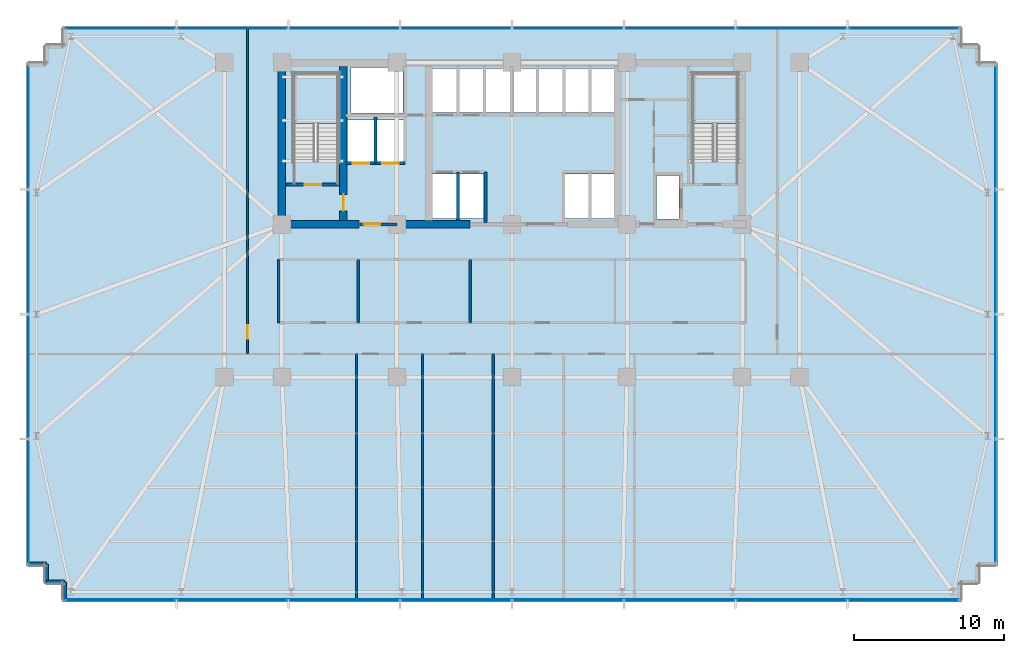
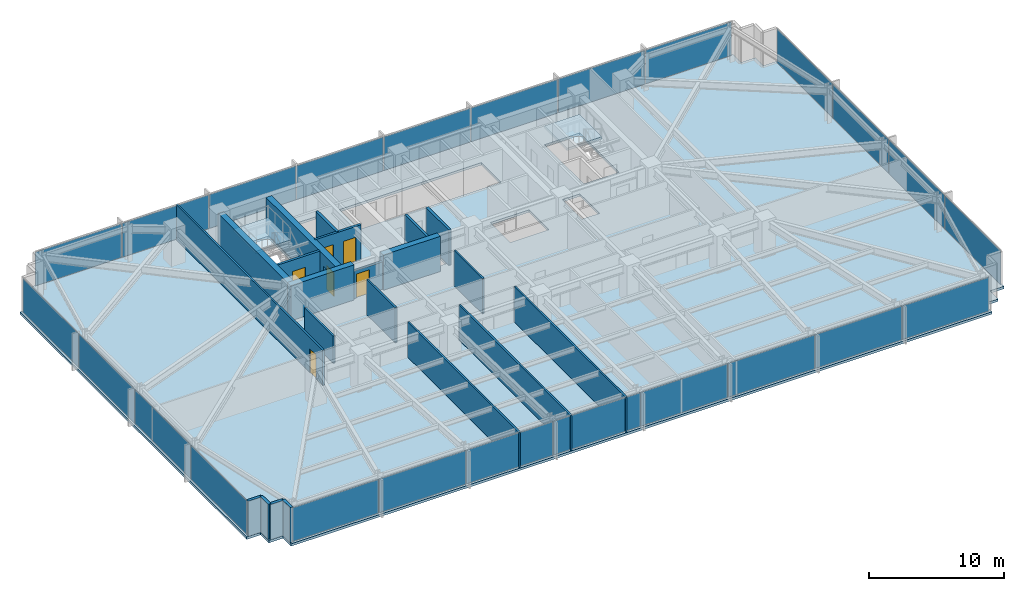
# One storey, part 24 of 32: 24 plates, 21 walls, 6 doors, 3 slabs, 6 openings, 6 elements without a shape of their own.
"""IFC4 building model written with IfcOpenShell, lengths in metres."""

from ifc_helpers import new_model, si_unit, direction, frame, frame_2d, origin, origin_2d, place, context, subcontext, project, spatial, polyline, rectangle, outline, extrude, material, layer, layer_set, type_object, element, fill, aggregate, save


model = new_model("IFC4")

# Units and contexts
model_context = context("Model", 3, precision=1e-05, world=origin(), true_north=direction((0.0, 1.0)))
body_context = subcontext(model_context, "Body", "Model", "MODEL_VIEW")
ifc_project = project(units=[si_unit("LENGTHUNIT", "METRE"), si_unit("AREAUNIT", "SQUARE_METRE"), si_unit("VOLUMEUNIT", "CUBIC_METRE"), si_unit("PLANEANGLEUNIT", "RADIAN"), si_unit("MASSUNIT", "GRAM", prefix="KILO")], contexts=[model_context])

# Site, building, storey
site_placement = place(None, origin())
site = spatial("IfcSite", under=ifc_project, at=site_placement, CompositionType="ELEMENT")
building_placement = place(site_placement, origin())
building = spatial("IfcBuilding", under=site, at=building_placement, Name="Yelkora Congress Tower", CompositionType="ELEMENT")
storey_placement = place(building_placement, frame((0.0, 0.0, 61.0)))
storey = spatial("IfcBuildingStorey", under=building, at=storey_placement, Name="L15", CompositionType="ELEMENT", Elevation=61.0)

# Curtain wall, plates
ifc_material_1 = material(Name="Anodised aluminium and insulated glass", Category="aluminium")
curtain_wall_type = type_object("IfcCurtainWallType", Name="CW-SYS-B1", PredefinedType="NOTDEFINED", material=ifc_material_1)
curtain_wall_1_placement = place(storey_placement, origin())
curtain_wall_1 = element("IfcCurtainWall", 1, at=curtain_wall_1_placement, inside=storey, type_object=curtain_wall_type, Name="L15 Unitised Curtain Wall 5", PredefinedType="NOTDEFINED")
ifc_material_2 = material(Name="Solar-control low-E glass unit B1", Category="glass")
ifc_layer_1 = layer(ifc_material_2, 0.0400390625)
ifc_layer_set_1 = layer_set([ifc_layer_1], Name="Solar-control low-E glass unit B1")
plate_type = type_object("IfcPlateType", Name="PLT-PN-B1", PredefinedType="CURTAIN_PANEL", material=ifc_layer_set_1)
plate_1_placement = place(storey_placement, frame((6.139892578125, 16.923828125, 0.06494140625), z_axis=(0.0, 0.0, 1.0), x_axis=(0.0, 1.0, 0.0)))
plate_1 = element("IfcPlate", 2, at=plate_1_placement, type_object=plate_type, Name="CW-B1 panel 1.1", PredefinedType="CURTAIN_PANEL", context=body_context, shape_type="SweptSolid", body=[
    extrude(rectangle(XDim=8.217529296875, YDim=0.0400390625, at=origin_2d()), origin(), (0.0, 0.0, 1.0), 3.050048828125),
])
plate_2_placement = place(storey_placement, frame((6.139892578125, 25.235107421875, 0.06494140625), z_axis=(0.0, 0.0, 1.0), x_axis=(0.0, 1.0, 0.0)))
plate_2 = element("IfcPlate", 3, at=plate_2_placement, type_object=plate_type, Name="CW-B1 panel 2.1", PredefinedType="CURTAIN_PANEL", context=body_context, shape_type="SweptSolid", body=[
    extrude(rectangle(XDim=8.2548828125, YDim=0.0400390625, at=origin_2d()), origin(), (0.0, 0.0, 1.0), 3.050048828125),
])
plate_3_placement = place(storey_placement, frame((6.139892578125, 33.56494140625, 0.06494140625), z_axis=(0.0, 0.0, 1.0), x_axis=(0.0, 1.0, 0.0)))
plate_3 = element("IfcPlate", 4, at=plate_3_placement, type_object=plate_type, Name="CW-B1 panel 3.1", PredefinedType="CURTAIN_PANEL", context=body_context, shape_type="SweptSolid", body=[
    extrude(rectangle(XDim=8.2548828125, YDim=0.0400390625, at=origin_2d()), origin(), (0.0, 0.0, 1.0), 3.050048828125),
])
plate_4_placement = place(storey_placement, frame((6.139892578125, 41.876220703125, 0.06494140625), z_axis=(0.0, 0.0, 1.0), x_axis=(0.0, 1.0, 0.0)))
plate_4 = element("IfcPlate", 5, at=plate_4_placement, type_object=plate_type, Name="CW-B1 panel 4.1", PredefinedType="CURTAIN_PANEL", context=body_context, shape_type="SweptSolid", body=[
    extrude(rectangle(XDim=8.217529296875, YDim=0.0400390625, at=origin_2d()), origin(), (0.0, 0.0, 1.0), 3.050048828125),
])
aggregate(curtain_wall_1, [plate_1, plate_2, plate_3, plate_4])

curtain_wall_2_placement = place(storey_placement, origin())
curtain_wall_2 = element("IfcCurtainWall", 6, at=curtain_wall_2_placement, inside=storey, type_object=curtain_wall_type, Name="L15 Unitised Curtain Wall 10", PredefinedType="NOTDEFINED")
plate_5_placement = place(storey_placement, frame((12.291259765625, 48.4599609375, 0.06494140625), z_axis=(0.0, 0.0, 1.0), x_axis=(1.0, 0.0, 0.0)))
plate_5 = element("IfcPlate", 7, at=plate_5_placement, type_object=plate_type, Name="CW-B1 panel 1.1", PredefinedType="CURTAIN_PANEL", context=body_context, shape_type="SweptSolid", body=[
    extrude(rectangle(XDim=7.3525390625, YDim=0.0400390625, at=origin_2d()), origin(), (0.0, 0.0, 1.0), 3.050048828125),
])
plate_6_placement = place(storey_placement, frame((19.737548828125, 48.4599609375, 0.06494140625), z_axis=(0.0, 0.0, 1.0), x_axis=(1.0, 0.0, 0.0)))
plate_6 = element("IfcPlate", 8, at=plate_6_placement, type_object=plate_type, Name="CW-B1 panel 2.1", PredefinedType="CURTAIN_PANEL", context=body_context, shape_type="SweptSolid", body=[
    extrude(rectangle(XDim=7.389892578125, YDim=0.0400390625, at=origin_2d()), origin(), (0.0, 0.0, 1.0), 3.050048828125),
])
plate_7_placement = place(storey_placement, frame((27.202392578125, 48.4599609375, 0.06494140625), z_axis=(0.0, 0.0, 1.0), x_axis=(1.0, 0.0, 0.0)))
plate_7 = element("IfcPlate", 9, at=plate_7_placement, type_object=plate_type, Name="CW-B1 panel 3.1", PredefinedType="CURTAIN_PANEL", context=body_context, shape_type="SweptSolid", body=[
    extrude(rectangle(XDim=7.389892578125, YDim=0.0400390625, at=origin_2d()), origin(), (0.0, 0.0, 1.0), 3.050048828125),
])
plate_8_placement = place(storey_placement, frame((34.66748046875, 48.4599609375, 0.06494140625), z_axis=(0.0, 0.0, 1.0), x_axis=(1.0, 0.0, 0.0)))
plate_8 = element("IfcPlate", 10, at=plate_8_placement, type_object=plate_type, Name="CW-B1 panel 4.1", PredefinedType="CURTAIN_PANEL", context=body_context, shape_type="SweptSolid", body=[
    extrude(rectangle(XDim=7.389892578125, YDim=0.0400390625, at=origin_2d()), origin(), (0.0, 0.0, 1.0), 3.050048828125),
])
plate_9_placement = place(storey_placement, frame((42.132568359375, 48.4599609375, 0.06494140625), z_axis=(0.0, 0.0, 1.0), x_axis=(1.0, 0.0, 0.0)))
plate_9 = element("IfcPlate", 11, at=plate_9_placement, type_object=plate_type, Name="CW-B1 panel 5.1", PredefinedType="CURTAIN_PANEL", context=body_context, shape_type="SweptSolid", body=[
    extrude(rectangle(XDim=7.389892578125, YDim=0.0400390625, at=origin_2d()), origin(), (0.0, 0.0, 1.0), 3.050048828125),
])
plate_10_placement = place(storey_placement, frame((49.597412109375, 48.4599609375, 0.06494140625), z_axis=(0.0, 0.0, 1.0), x_axis=(1.0, 0.0, 0.0)))
plate_10 = element("IfcPlate", 12, at=plate_10_placement, type_object=plate_type, Name="CW-B1 panel 6.1", PredefinedType="CURTAIN_PANEL", context=body_context, shape_type="SweptSolid", body=[
    extrude(rectangle(XDim=7.389892578125, YDim=0.0400390625, at=origin_2d()), origin(), (0.0, 0.0, 1.0), 3.050048828125),
])
plate_11_placement = place(storey_placement, frame((57.0625, 48.4599609375, 0.06494140625), z_axis=(0.0, 0.0, 1.0), x_axis=(1.0, 0.0, 0.0)))
plate_11 = element("IfcPlate", 13, at=plate_11_placement, type_object=plate_type, Name="CW-B1 panel 7.1", PredefinedType="CURTAIN_PANEL", context=body_context, shape_type="SweptSolid", body=[
    extrude(rectangle(XDim=7.389892578125, YDim=0.0400390625, at=origin_2d()), origin(), (0.0, 0.0, 1.0), 3.050048828125),
])
plate_12_placement = place(storey_placement, frame((64.5087890625, 48.4599609375, 0.06494140625), z_axis=(0.0, 0.0, 1.0), x_axis=(1.0, 0.0, 0.0)))
plate_12 = element("IfcPlate", 14, at=plate_12_placement, type_object=plate_type, Name="CW-B1 panel 8.1", PredefinedType="CURTAIN_PANEL", context=body_context, shape_type="SweptSolid", body=[
    extrude(rectangle(XDim=7.3525390625, YDim=0.0400390625, at=origin_2d()), origin(), (0.0, 0.0, 1.0), 3.050048828125),
])
aggregate(curtain_wall_2, [plate_5, plate_6, plate_7, plate_8, plate_9, plate_10, plate_11, plate_12])

curtain_wall_3_placement = place(storey_placement, origin())
curtain_wall_3 = element("IfcCurtainWall", 15, at=curtain_wall_3_placement, inside=storey, type_object=curtain_wall_type, Name="L15 Unitised Curtain Wall 15", PredefinedType="NOTDEFINED")
plate_13_placement = place(storey_placement, frame((70.659912109375, 41.876220703125, 0.06494140625), z_axis=(0.0, 0.0, 1.0), x_axis=(0.0, -1.0, 0.0)))
plate_13 = element("IfcPlate", 16, at=plate_13_placement, type_object=plate_type, Name="CW-B1 panel 1.1", PredefinedType="CURTAIN_PANEL", context=body_context, shape_type="SweptSolid", body=[
    extrude(rectangle(XDim=8.217529296875, YDim=0.0400390625, at=origin_2d()), origin(), (0.0, 0.0, 1.0), 3.050048828125),
])
plate_14_placement = place(storey_placement, frame((70.659912109375, 33.56494140625, 0.06494140625), z_axis=(0.0, 0.0, 1.0), x_axis=(0.0, -1.0, 0.0)))
plate_14 = element("IfcPlate", 17, at=plate_14_placement, type_object=plate_type, Name="CW-B1 panel 2.1", PredefinedType="CURTAIN_PANEL", context=body_context, shape_type="SweptSolid", body=[
    extrude(rectangle(XDim=8.2548828125, YDim=0.0400390625, at=origin_2d()), origin(), (0.0, 0.0, 1.0), 3.050048828125),
])
plate_15_placement = place(storey_placement, frame((70.659912109375, 25.235107421875, 0.06494140625), z_axis=(0.0, 0.0, 1.0), x_axis=(0.0, -1.0, 0.0)))
plate_15 = element("IfcPlate", 18, at=plate_15_placement, type_object=plate_type, Name="CW-B1 panel 3.1", PredefinedType="CURTAIN_PANEL", context=body_context, shape_type="SweptSolid", body=[
    extrude(rectangle(XDim=8.2548828125, YDim=0.0400390625, at=origin_2d()), origin(), (0.0, 0.0, 1.0), 3.050048828125),
])
plate_16_placement = place(storey_placement, frame((70.659912109375, 16.923828125, 0.06494140625), z_axis=(0.0, 0.0, 1.0), x_axis=(0.0, -1.0, 0.0)))
plate_16 = element("IfcPlate", 19, at=plate_16_placement, type_object=plate_type, Name="CW-B1 panel 4.1", PredefinedType="CURTAIN_PANEL", context=body_context, shape_type="SweptSolid", body=[
    extrude(rectangle(XDim=8.217529296875, YDim=0.0400390625, at=origin_2d()), origin(), (0.0, 0.0, 1.0), 3.050048828125),
])
aggregate(curtain_wall_3, [plate_13, plate_14, plate_15, plate_16])

curtain_wall_4_placement = place(storey_placement, origin())
curtain_wall_4 = element("IfcCurtainWall", 20, at=curtain_wall_4_placement, inside=storey, type_object=curtain_wall_type, Name="L15 Unitised Curtain Wall 20", PredefinedType="NOTDEFINED")
plate_17_placement = place(storey_placement, frame((64.5087890625, 10.340087890625, 0.06494140625), z_axis=(0.0, 0.0, 1.0), x_axis=(-1.0, 0.0, 0.0)))
plate_17 = element("IfcPlate", 21, at=plate_17_placement, type_object=plate_type, Name="CW-B1 panel 1.1", PredefinedType="CURTAIN_PANEL", context=body_context, shape_type="SweptSolid", body=[
    extrude(rectangle(XDim=7.3525390625, YDim=0.0400390625, at=origin_2d()), origin(), (0.0, 0.0, 1.0), 3.050048828125),
])
plate_18_placement = place(storey_placement, frame((57.0625, 10.340087890625, 0.06494140625), z_axis=(0.0, 0.0, 1.0), x_axis=(-1.0, 0.0, 0.0)))
plate_18 = element("IfcPlate", 22, at=plate_18_placement, type_object=plate_type, Name="CW-B1 panel 2.1", PredefinedType="CURTAIN_PANEL", context=body_context, shape_type="SweptSolid", body=[
    extrude(rectangle(XDim=7.389892578125, YDim=0.0400390625, at=origin_2d()), origin(), (0.0, 0.0, 1.0), 3.050048828125),
])
plate_19_placement = place(storey_placement, frame((49.597412109375, 10.340087890625, 0.06494140625), z_axis=(0.0, 0.0, 1.0), x_axis=(-1.0, 0.0, 0.0)))
plate_19 = element("IfcPlate", 23, at=plate_19_placement, type_object=plate_type, Name="CW-B1 panel 3.1", PredefinedType="CURTAIN_PANEL", context=body_context, shape_type="SweptSolid", body=[
    extrude(rectangle(XDim=7.389892578125, YDim=0.0400390625, at=origin_2d()), origin(), (0.0, 0.0, 1.0), 3.050048828125),
])
plate_20_placement = place(storey_placement, frame((42.132568359375, 10.340087890625, 0.06494140625), z_axis=(0.0, 0.0, 1.0), x_axis=(-1.0, 0.0, 0.0)))
plate_20 = element("IfcPlate", 24, at=plate_20_placement, type_object=plate_type, Name="CW-B1 panel 4.1", PredefinedType="CURTAIN_PANEL", context=body_context, shape_type="SweptSolid", body=[
    extrude(rectangle(XDim=7.389892578125, YDim=0.0400390625, at=origin_2d()), origin(), (0.0, 0.0, 1.0), 3.050048828125),
])
plate_21_placement = place(storey_placement, frame((34.66748046875, 10.340087890625, 0.06494140625), z_axis=(0.0, 0.0, 1.0), x_axis=(-1.0, 0.0, 0.0)))
plate_21 = element("IfcPlate", 25, at=plate_21_placement, type_object=plate_type, Name="CW-B1 panel 5.1", PredefinedType="CURTAIN_PANEL", context=body_context, shape_type="SweptSolid", body=[
    extrude(rectangle(XDim=7.389892578125, YDim=0.0400390625, at=origin_2d()), origin(), (0.0, 0.0, 1.0), 3.050048828125),
])
plate_22_placement = place(storey_placement, frame((27.202392578125, 10.340087890625, 0.06494140625), z_axis=(0.0, 0.0, 1.0), x_axis=(-1.0, 0.0, 0.0)))
plate_22 = element("IfcPlate", 26, at=plate_22_placement, type_object=plate_type, Name="CW-B1 panel 6.1", PredefinedType="CURTAIN_PANEL", context=body_context, shape_type="SweptSolid", body=[
    extrude(rectangle(XDim=7.389892578125, YDim=0.0400390625, at=origin_2d()), origin(), (0.0, 0.0, 1.0), 3.050048828125),
])
plate_23_placement = place(storey_placement, frame((19.737548828125, 10.340087890625, 0.06494140625), z_axis=(0.0, 0.0, 1.0), x_axis=(-1.0, 0.0, 0.0)))
plate_23 = element("IfcPlate", 27, at=plate_23_placement, type_object=plate_type, Name="CW-B1 panel 7.1", PredefinedType="CURTAIN_PANEL", context=body_context, shape_type="SweptSolid", body=[
    extrude(rectangle(XDim=7.389892578125, YDim=0.0400390625, at=origin_2d()), origin(), (0.0, 0.0, 1.0), 3.050048828125),
])
plate_24_placement = place(storey_placement, frame((12.291259765625, 10.340087890625, 0.06494140625), z_axis=(0.0, 0.0, 1.0), x_axis=(-1.0, 0.0, 0.0)))
plate_24 = element("IfcPlate", 28, at=plate_24_placement, type_object=plate_type, Name="CW-B1 panel 8.1", PredefinedType="CURTAIN_PANEL", context=body_context, shape_type="SweptSolid", body=[
    extrude(rectangle(XDim=7.3525390625, YDim=0.0400390625, at=origin_2d()), origin(), (0.0, 0.0, 1.0), 3.050048828125),
])
aggregate(curtain_wall_4, [plate_17, plate_18, plate_19, plate_20, plate_21, plate_22, plate_23, plate_24])

# Stair, slab
ifc_material_3 = material(Name="Concrete C40/50", Category="concrete")
stair_type = type_object("IfcStairType", Name="STAIR-HT-1420-R20-170", PredefinedType="HALF_TURN_STAIR", material=ifc_material_3)
stair_1_placement = place(storey_placement, origin())
stair_1 = element("IfcStair", 29, at=stair_1_placement, inside=storey, type_object=stair_type, Name="West Core Protected Exit Stair ST-01 (L15)", PredefinedType="HALF_TURN_STAIR")
ifc_layer_2 = layer(ifc_material_3, 0.219970703125)
ifc_layer_set_2 = layer_set([ifc_layer_2], Name="Concrete C40/50")
slab_type_1 = type_object("IfcSlabType", Name="SLAB-LANDING-220", PredefinedType="LANDING", material=ifc_layer_set_2)
slab_1_placement = place(storey_placement, frame((0.0, 0.0, 1.47998046875)))
slab_1 = element("IfcSlab", 30, at=slab_1_placement, type_object=slab_type_1, Name="ST-01 L15 Half Landing 1", PredefinedType="LANDING", context=body_context, shape_type="SweptSolid", body=[
    extrude(outline(polyline([(26.820068359375, 42.1201171875), (26.820068359375, 45.469970703125), (23.820068359375, 45.469970703125), (23.820068359375, 42.1201171875), (26.820068359375, 42.1201171875)])), origin(), (0.0, 0.0, 1.0), 0.219970703125),
])
aggregate(stair_1, [slab_1])

stair_2_placement = place(storey_placement, origin())
stair_2 = element("IfcStair", 31, at=stair_2_placement, inside=storey, type_object=stair_type, Name="East Core Protected Exit Stair ST-02 (L15)", PredefinedType="HALF_TURN_STAIR")
slab_2_placement = place(storey_placement, frame((0.0, 0.0, 1.47998046875)))
slab_2 = element("IfcSlab", 32, at=slab_2_placement, type_object=slab_type_1, Name="ST-02 L15 Half Landing 1", PredefinedType="LANDING", context=body_context, shape_type="SweptSolid", body=[
    extrude(outline(polyline([(53.4599609375, 42.1201171875), (53.4599609375, 45.469970703125), (50.4599609375, 45.469970703125), (50.4599609375, 42.1201171875), (53.4599609375, 42.1201171875)])), origin(), (0.0, 0.0, 1.0), 0.219970703125),
])
aggregate(stair_2, [slab_2])

# Slab
ifc_layer_3 = layer(ifc_material_3, 0.219970703125)
ifc_layer_set_3 = layer_set([ifc_layer_3], Name="Concrete C40/50")
slab_type_2 = type_object("IfcSlabType", Name="SLAB-TWR-220", PredefinedType="FLOOR", material=ifc_layer_set_3)
slab_3_placement = place(storey_placement, frame((0.0, 0.0, -0.219970703125)))
element("IfcSlab", 33, at=slab_3_placement, inside=storey, type_object=slab_type_2, Name="L15 Structural Floor Slab", PredefinedType="FLOOR", context=body_context, shape_type="SweptSolid", body=[
    extrude(outline(polyline([(8.39990234375, 10.199951171875), (68.39990234375, 10.199951171875), (68.39990234375, 11.39990234375), (69.60009765625, 11.39990234375), (69.60009765625, 12.60009765625), (70.800048828125, 12.60009765625), (70.800048828125, 46.199951171875), (69.60009765625, 46.199951171875), (69.60009765625, 47.39990234375), (68.39990234375, 47.39990234375), (68.39990234375, 48.60009765625), (8.39990234375, 48.60009765625), (8.39990234375, 47.39990234375), (7.199951171875, 47.39990234375), (7.199951171875, 46.199951171875), (6.0, 46.199951171875), (6.0, 12.60009765625), (7.199951171875, 12.60009765625), (7.199951171875, 11.39990234375), (8.39990234375, 11.39990234375), (8.39990234375, 10.199951171875)]), holes=[polyline([(23.820068359375, 39.6298828125), (26.820068359375, 39.6298828125), (26.820068359375, 45.469970703125), (23.820068359375, 45.469970703125), (23.820068359375, 39.6298828125)]), polyline([(50.4599609375, 39.6298828125), (53.4599609375, 39.6298828125), (53.4599609375, 45.469970703125), (50.4599609375, 45.469970703125), (50.4599609375, 39.6298828125)]), polyline([(48.050048828125, 35.75), (49.550048828125, 35.75), (49.550048828125, 38.64990234375), (48.050048828125, 38.64990234375), (48.050048828125, 35.75)]), polyline([(41.949951171875, 35.800048828125), (45.25, 35.800048828125), (45.25, 38.75), (41.949951171875, 38.75), (41.949951171875, 35.800048828125)]), polyline([(33.10009765625, 42.85009765625), (45.25, 42.85009765625), (45.25, 45.800048828125), (33.10009765625, 45.800048828125), (33.10009765625, 42.85009765625)]), polyline([(33.10009765625, 35.800048828125), (36.5, 35.800048828125), (36.5, 38.75), (33.10009765625, 38.75), (33.10009765625, 35.800048828125)]), polyline([(27.419921875, 39.60009765625), (31.179931640625, 39.60009765625), (31.179931640625, 42.35009765625), (27.419921875, 42.35009765625), (27.419921875, 39.60009765625)]), polyline([(27.64990234375, 42.820068359375), (31.1201171875, 42.820068359375), (31.1201171875, 45.8798828125), (27.64990234375, 45.8798828125), (27.64990234375, 42.820068359375)])]), origin(), (0.0, 0.0, 1.0), 0.219970703125),
])

# Walls
ifc_material_4 = material(Name="Concrete C60/75", Category="concrete")
ifc_layer_4 = layer(ifc_material_4, 0.5)
ifc_layer_set_4 = layer_set([ifc_layer_4], Name="Concrete C60/75")
wall_type_1 = type_object("IfcWallType", Name="WALL-CORE-INT-500", PredefinedType="SHEAR", material=ifc_layer_set_4)
wall_1_placement = place(storey_placement, frame((22.7900390625, 35.39990234375, 0.0), z_axis=(0.0, 0.0, 1.0), x_axis=(1.0, 0.0, 0.0)))
element("IfcWall", 34, at=wall_1_placement, inside=storey, type_object=wall_type_1, Name="L15 Rear Core South-West Shear Wall", PredefinedType="SHEAR", context=body_context, shape_type="SweptSolid", body=[
    extrude(rectangle(XDim=5.409912109375, YDim=0.5, at=frame_2d((2.705078125, 0.0))), origin(), (0.0, 0.0, 1.0), 3.179931640625),
])
wall_2_placement = place(storey_placement, frame((30.719970703125, 35.39990234375, 0.0), z_axis=(0.0, 0.0, 1.0), x_axis=(1.0, 0.0, 0.0)))
element("IfcWall", 35, at=wall_2_placement, inside=storey, type_object=wall_type_1, Name="L15 Rear Core South-Center Shear Pier", PredefinedType="SHEAR", context=body_context, shape_type="SweptSolid", body=[
    extrude(rectangle(XDim=4.880126953125, YDim=0.5, at=frame_2d((2.43994140625, 0.0))), origin(), (0.0, 0.0, 1.0), 3.179931640625),
])
wall_3_placement = place(storey_placement, frame((23.0400390625, 35.64990234375, 0.0), z_axis=(0.0, 0.0, 1.0), x_axis=(0.0, 1.0, 0.0)))
element("IfcWall", 36, at=wall_3_placement, inside=storey, type_object=wall_type_1, Name="L15 Rear Core Cross Shear Wall W", PredefinedType="SHEAR", context=body_context, shape_type="SweptSolid", body=[
    extrude(rectangle(XDim=10.300048828125, YDim=0.5, at=frame_2d((5.14990234375, 0.0))), origin(), (0.0, 0.0, 1.0), 3.179931640625),
])

# Wall, opening, door
wall_4_placement = place(storey_placement, frame((27.14990234375, 35.64990234375, 0.0), z_axis=(0.0, 0.0, 1.0), x_axis=(0.0, 1.0, 0.0)))
wall_4 = element("IfcWall", 37, at=wall_4_placement, inside=storey, type_object=wall_type_1, Name="L15 Rear Core Cross Shear Wall C1", PredefinedType="SHEAR", context=body_context, shape_type="SweptSolid", body=[
    extrude(rectangle(XDim=10.300048828125, YDim=0.5, at=frame_2d((5.14990234375, 0.0))), origin(), (0.0, 0.0, 1.0), 3.179931640625),
])
opening_1_placement = place(wall_4_placement, frame((0.64990234375, 0.0, 0.0)))
opening_1 = element("IfcOpeningElement", 38, at=opening_1_placement, cuts=wall_4, Name="Opening DR-110F9", PredefinedType="OPENING", context=body_context, shape_type="SweptSolid", body=[
    extrude(rectangle(XDim=1.10009765625, YDim=2.14990234375, at=frame_2d((0.550048828125, 1.074951171875))), frame((0.0, 0.260009765625, 0.0), z_axis=(0.0, -1.0, 0.0), x_axis=(1.0, 0.0, 0.0)), (0.0, 0.0, 1.0), 0.52001953125),
])
ifc_material_5 = material(Name="Galvanised steel fire door leaf", Category="steel")
door_type_1 = type_object("IfcDoorType", Name="DOOR-FD90-1100", OperationType="NOTDEFINED", PredefinedType="DOOR", material=ifc_material_5)
door_1_placement = place(opening_1_placement, origin())
door_1 = element("IfcDoor", 39, at=door_1_placement, inside=storey, type_object=door_type_1, Name="L15 Firefighting Stair Transfer Door", OperationType="SINGLE_SWING_LEFT", OverallHeight=2.14990234375, OverallWidth=1.10009765625, PredefinedType="DOOR", context=body_context, shape_type="SweptSolid", body=[
    extrude(rectangle(XDim=1.10009765625, YDim=2.14990234375, at=frame_2d((0.550048828125, 1.074951171875))), frame((0.0, 0.02490234375, 0.0), z_axis=(0.0, -1.0, 0.0), x_axis=(1.0, 0.0, 0.0)), (0.0, 0.0, 1.0), 0.050048828125),
])
fill(opening_1, door_1)

# Walls
ifc_layer_5 = layer(ifc_material_3, 0.239990234375)
ifc_layer_set_5 = layer_set([ifc_layer_5], Name="Concrete C40/50")
wall_type_2 = type_object("IfcWallType", Name="WALL-EXT-LIMESTONE-240", PredefinedType="SOLIDWALL", material=ifc_layer_set_5)
for number, where, z_axis, x_axis, name in (
    (40, (8.5400390625, 10.340087890625, 0.0), (0.0, 0.0, 1.0), (0.0, 1.0, 0.0), "L15 Serrated Corner Limestone Pier 1"),
    (41, (8.5400390625, 11.5400390625, 0.0), (0.0, 0.0, 1.0), (-1.0, 0.0, 0.0), "L15 Serrated Corner Limestone Pier 2"),
    (42, (7.340087890625, 11.5400390625, 0.0), (0.0, 0.0, 1.0), (0.0, 1.0, 0.0), "L15 Serrated Corner Limestone Pier 3"),
):
    element("IfcWall", number, at=place(storey_placement, frame(where, z_axis=z_axis, x_axis=x_axis)), inside=storey, type_object=wall_type_2, Name=name, PredefinedType="SOLIDWALL", context=body_context, shape_type="SweptSolid", body=[
        extrude(rectangle(XDim=1.199951171875, YDim=0.239990234375, at=frame_2d((0.60009765625, 0.0))), origin(), (0.0, 0.0, 1.0), 3.179931640625),
    ])
wall_5_placement = place(storey_placement, frame((7.340087890625, 12.739990234375, 0.0), z_axis=(0.0, 0.0, 1.0), x_axis=(-1.0, 0.0, 0.0)))
element("IfcWall", 43, at=wall_5_placement, inside=storey, type_object=wall_type_2, Name="L15 Serrated Corner Limestone Pier 4", PredefinedType="SOLIDWALL", context=body_context, shape_type="SweptSolid", body=[
    extrude(rectangle(XDim=1.2001953125, YDim=0.239990234375, at=frame_2d((0.60009765625, 0.0))), origin(), (0.0, 0.0, 1.0), 3.179931640625),
])
ifc_material_6 = material(Name="Acoustic metal-stud gypsum partition", Category="gypsum")
ifc_layer_6 = layer(ifc_material_6, 0.14990234375)
ifc_layer_set_6 = layer_set([ifc_layer_6], Name="Acoustic metal-stud gypsum partition")
wall_type_3 = type_object("IfcWallType", Name="WALL-INT-150-NR", PredefinedType="PARTITIONING", material=ifc_layer_set_6)
for number, where, z_axis, x_axis, name in (
    (44, (28.02392578125, 10.280029296875, 0.0), (0.0, 0.0, 1.0), (0.0, 1.0, 0.0), "L15 Partition Wall 31"),
    (45, (32.427001953125, 10.280029296875, 0.0), (0.0, 0.0, 1.0), (0.0, 1.0, 0.0), "L15 Partition Wall 32"),
    (46, (37.14501953125, 10.280029296875, 0.0), (0.0, 0.0, 1.0), (0.0, 1.0, 0.0), "L15 Partition Wall 33"),
):
    element("IfcWall", number, at=place(storey_placement, frame(where, z_axis=z_axis, x_axis=x_axis)), inside=storey, type_object=wall_type_3, Name=name, PredefinedType="PARTITIONING", context=body_context, shape_type="SweptSolid", body=[
        extrude(rectangle(XDim=16.489990234375, YDim=0.14990234375, at=frame_2d((8.2451171875, 0.0))), origin(), (0.0, 0.0, 1.0), 3.179931640625),
    ])

# Wall, opening, door
wall_6_placement = place(storey_placement, frame((20.75, 26.75, 0.0), z_axis=(0.0, 0.0, 1.0), x_axis=(0.0, 1.0, 0.0)))
wall_6 = element("IfcWall", 47, at=wall_6_placement, inside=storey, type_object=wall_type_3, Name="L15 Partition Wall 37", PredefinedType="PARTITIONING", context=body_context, shape_type="SweptSolid", body=[
    extrude(rectangle(XDim=21.77001953125, YDim=0.14990234375, at=frame_2d((10.885009765625, 0.0))), origin(), (0.0, 0.0, 1.0), 3.179931640625),
])
opening_2_placement = place(wall_6_placement, frame((1.030029296875, 0.0, 0.0)))
opening_2 = element("IfcOpeningElement", 48, at=opening_2_placement, cuts=wall_6, Name="Opening DR-090N", PredefinedType="OPENING", context=body_context, shape_type="SweptSolid", body=[
    extrude(rectangle(XDim=0.89990234375, YDim=2.14990234375, at=frame_2d((0.449951171875, 1.074951171875))), frame((0.0, 0.0849609375, 0.0), z_axis=(0.0, -1.0, 0.0), x_axis=(1.0, 0.0, 0.0)), (0.0, 0.0, 1.0), 0.169921875),
])
ifc_material_7 = material(Name="Moisture-resistant laminate door leaf", Category="wood")
door_type_2 = type_object("IfcDoorType", Name="DOOR-INT-900", OperationType="NOTDEFINED", PredefinedType="DOOR", material=ifc_material_7)
door_2_placement = place(opening_2_placement, origin())
door_2 = element("IfcDoor", 49, at=door_2_placement, inside=storey, type_object=door_type_2, Name="L15 W Wing Door", OperationType="SINGLE_SWING_LEFT", OverallHeight=2.14990234375, OverallWidth=0.89990234375, PredefinedType="DOOR", context=body_context, shape_type="SweptSolid", body=[
    extrude(rectangle(XDim=0.89990234375, YDim=2.14990234375, at=frame_2d((0.449951171875, 1.074951171875))), frame((0.0, 0.02490234375, 0.0), z_axis=(0.0, -1.0, 0.0), x_axis=(1.0, 0.0, 0.0)), (0.0, 0.0, 1.0), 0.050048828125),
])
fill(opening_2, door_2)

# Walls
wall_7_placement = place(storey_placement, frame((22.830078125, 28.830078125, 0.0), z_axis=(0.0, 0.0, 1.0), x_axis=(0.0, 1.0, 0.0)))
element("IfcWall", 50, at=wall_7_placement, inside=storey, type_object=wall_type_3, Name="L15 Partition Wall 39", PredefinedType="PARTITIONING", context=body_context, shape_type="SweptSolid", body=[
    extrude(rectangle(XDim=4.219970703125, YDim=0.14990234375, at=frame_2d((2.10986328125, 0.0))), origin(), (0.0, 0.0, 1.0), 2.47509765625),
])
for number, where, z_axis, x_axis, name in (
    (51, (28.138916015625, 28.830078125, 0.0), (0.0, 0.0, 1.0), (0.0, 1.0, 0.0), "L15 Partition Wall 42"),
    (52, (35.6201171875, 28.830078125, 0.0), (0.0, 0.0, 1.0), (0.0, 1.0, 0.0), "L15 Partition Wall 43"),
):
    element("IfcWall", number, at=place(storey_placement, frame(where, z_axis=z_axis, x_axis=x_axis)), inside=storey, type_object=wall_type_3, Name=name, PredefinedType="PARTITIONING", context=body_context, shape_type="SweptSolid", body=[
        extrude(rectangle(XDim=4.219970703125, YDim=0.14990234375, at=frame_2d((2.10986328125, 0.0))), origin(), (0.0, 0.0, 1.0), 3.179931640625),
    ])

# Wall, opening, door
ifc_material_8 = material(Name="Autoclaved aerated concrete blockwork", Category="masonry")
ifc_layer_7 = layer(ifc_material_8, 0.199951171875)
ifc_layer_set_7 = layer_set([ifc_layer_7], Name="Autoclaved aerated concrete blockwork")
wall_type_4 = type_object("IfcWallType", Name="WALL-INT-200-R120", PredefinedType="PARTITIONING", material=ifc_layer_set_7)
wall_8_placement = place(storey_placement, frame((23.300048828125, 38.050048828125, 0.0), z_axis=(0.0, 0.0, 1.0), x_axis=(1.0, 0.0, 0.0)))
wall_8 = element("IfcWall", 53, at=wall_8_placement, inside=storey, type_object=wall_type_4, Name="L15 Stair ST-01 Enclosure Wall", PredefinedType="PARTITIONING", context=body_context, shape_type="SweptSolid", body=[
    extrude(rectangle(XDim=3.619873046875, YDim=0.199951171875, at=frame_2d((1.81005859375, 0.0))), origin(), (0.0, 0.0, 1.0), 3.179931640625),
])
opening_3_placement = place(wall_8_placement, frame((1.260009765625, 0.0, 0.0)))
opening_3 = element("IfcOpeningElement", 54, at=opening_3_placement, cuts=wall_8, Name="Opening DR-110F9", PredefinedType="OPENING", context=body_context, shape_type="SweptSolid", body=[
    extrude(rectangle(XDim=1.10009765625, YDim=2.14990234375, at=frame_2d((0.550048828125, 1.074951171875))), frame((0.0, 0.10986328125, 0.0), z_axis=(0.0, -1.0, 0.0), x_axis=(1.0, 0.0, 0.0)), (0.0, 0.0, 1.0), 0.219970703125),
])
door_3_placement = place(opening_3_placement, origin())
door_3 = element("IfcDoor", 55, at=door_3_placement, inside=storey, type_object=door_type_1, Name="L15 Stair ST-01 Entry Door", OperationType="SINGLE_SWING_LEFT", OverallHeight=2.14990234375, OverallWidth=1.10009765625, PredefinedType="DOOR", context=body_context, shape_type="SweptSolid", body=[
    extrude(rectangle(XDim=1.10009765625, YDim=2.14990234375, at=frame_2d((0.550048828125, 1.074951171875))), frame((0.0, 0.02490234375, 0.0), z_axis=(0.0, -1.0, 0.0), x_axis=(1.0, 0.0, 0.0)), (0.0, 0.0, 1.0), 0.050048828125),
])
fill(opening_3, door_3)

wall_9_placement = place(storey_placement, frame((28.219970703125, 35.39990234375, 0.0), z_axis=(0.0, 0.0, 1.0), x_axis=(1.0, 0.0, 0.0)))
wall_9 = element("IfcWall", 56, at=wall_9_placement, inside=storey, type_object=wall_type_4, Name="L15 Firefighting Lobby South Wall", PredefinedType="PARTITIONING", context=body_context, shape_type="SweptSolid", body=[
    extrude(rectangle(XDim=2.5, YDim=0.199951171875, at=frame_2d((1.25, 0.0))), origin(), (0.0, 0.0, 1.0), 2.47509765625),
])
opening_4_placement = place(wall_9_placement, frame((0.300048828125, 0.0, 0.0)))
opening_4 = element("IfcOpeningElement", 57, at=opening_4_placement, cuts=wall_9, Name="Opening DR-110F9", PredefinedType="OPENING", context=body_context, shape_type="SweptSolid", body=[
    extrude(rectangle(XDim=1.10009765625, YDim=2.14990234375, at=frame_2d((0.550048828125, 1.074951171875))), frame((0.0, 0.10986328125, 0.0), z_axis=(0.0, -1.0, 0.0), x_axis=(1.0, 0.0, 0.0)), (0.0, 0.0, 1.0), 0.219970703125),
])
door_4_placement = place(opening_4_placement, origin())
door_4 = element("IfcDoor", 58, at=door_4_placement, inside=storey, type_object=door_type_1, Name="L15 Firefighting Lobby Corridor Door", OperationType="SINGLE_SWING_RIGHT", OverallHeight=2.14990234375, OverallWidth=1.10009765625, PredefinedType="DOOR", context=body_context, shape_type="SweptSolid", body=[
    extrude(rectangle(XDim=1.10009765625, YDim=2.14990234375, at=frame_2d((0.550048828125, 1.074951171875))), frame((0.0, 0.02490234375, 0.0), z_axis=(0.0, -1.0, 0.0), x_axis=(1.0, 0.0, 0.0)), (0.0, 0.0, 1.0), 0.050048828125),
])
fill(opening_4, door_4)

# Wall, openings, doors
wall_10_placement = place(storey_placement, frame((27.320068359375, 39.47998046875, 0.0), z_axis=(0.0, 0.0, 1.0), x_axis=(1.0, 0.0, 0.0)))
wall_10 = element("IfcWall", 59, at=wall_10_placement, inside=storey, type_object=wall_type_4, Name="L15 Firefighting Lift Front Wall", PredefinedType="PARTITIONING", context=body_context, shape_type="SweptSolid", body=[
    extrude(rectangle(XDim=3.93994140625, YDim=0.199951171875, at=frame_2d((1.969970703125, 0.0))), origin(), (0.0, 0.0, 1.0), 3.179931640625),
])
opening_5_placement = place(wall_10_placement, frame((0.449951171875, 0.0, 0.0)))
opening_5 = element("IfcOpeningElement", 60, at=opening_5_placement, cuts=wall_10, Name="Opening LD-FF11", PredefinedType="OPENING", context=body_context, shape_type="SweptSolid", body=[
    extrude(rectangle(XDim=1.10009765625, YDim=2.199951171875, at=frame_2d((0.550048828125, 1.10009765625))), frame((0.0, 0.10986328125, 0.0), z_axis=(0.0, -1.0, 0.0), x_axis=(1.0, 0.0, 0.0)), (0.0, 0.0, 1.0), 0.219970703125),
])
opening_6_placement = place(wall_10_placement, frame((2.409912109375, 0.0, 0.0)))
opening_6 = element("IfcOpeningElement", 61, at=opening_6_placement, cuts=wall_10, Name="Opening LD-FF11", PredefinedType="OPENING", context=body_context, shape_type="SweptSolid", body=[
    extrude(rectangle(XDim=1.10009765625, YDim=2.199951171875, at=frame_2d((0.550048828125, 1.10009765625))), frame((0.0, 0.10986328125, 0.0), z_axis=(0.0, -1.0, 0.0), x_axis=(1.0, 0.0, 0.0)), (0.0, 0.0, 1.0), 0.219970703125),
])
ifc_material_9 = material(Name="Brushed stainless steel 316L landing door", Category="steel")
door_type_3 = type_object("IfcDoorType", Name="DOOR-LIFT-FF-1100", OperationType="DOUBLE_DOOR_SLIDING", PredefinedType="DOOR", material=ifc_material_9)
door_5_placement = place(opening_5_placement, origin())
door_5 = element("IfcDoor", 62, at=door_5_placement, inside=storey, type_object=door_type_3, Name="Lift Landing Door LF-FF1 L15", OperationType="DOUBLE_DOOR_SLIDING", OverallHeight=2.199951171875, OverallWidth=1.10009765625, PredefinedType="DOOR", context=body_context, shape_type="SweptSolid", body=[
    extrude(rectangle(XDim=1.10009765625, YDim=2.199951171875, at=frame_2d((0.550048828125, 1.10009765625))), frame((0.0, 0.02490234375, 0.0), z_axis=(0.0, -1.0, 0.0), x_axis=(1.0, 0.0, 0.0)), (0.0, 0.0, 1.0), 0.050048828125),
])
fill(opening_5, door_5)
door_6_placement = place(opening_6_placement, origin())
door_6 = element("IfcDoor", 63, at=door_6_placement, inside=storey, type_object=door_type_3, Name="Lift Landing Door LF-FF2 L15", OperationType="DOUBLE_DOOR_SLIDING", OverallHeight=2.199951171875, OverallWidth=1.10009765625, PredefinedType="DOOR", context=body_context, shape_type="SweptSolid", body=[
    extrude(rectangle(XDim=1.10009765625, YDim=2.199951171875, at=frame_2d((0.550048828125, 1.10009765625))), frame((0.0, 0.02490234375, 0.0), z_axis=(0.0, -1.0, 0.0), x_axis=(1.0, 0.0, 0.0)), (0.0, 0.0, 1.0), 0.050048828125),
])
fill(opening_6, door_6)

# Walls
wall_11_placement = place(storey_placement, frame((29.300048828125, 39.47998046875, 0.0), z_axis=(0.0, 0.0, 1.0), x_axis=(0.0, 1.0, 0.0)))
element("IfcWall", 64, at=wall_11_placement, inside=storey, type_object=wall_type_4, Name="L15 Partition Wall 4", PredefinedType="PARTITIONING", context=body_context, shape_type="SweptSolid", body=[
    extrude(rectangle(XDim=3.070068359375, YDim=0.199951171875, at=frame_2d((1.53515625, 0.0))), origin(), (0.0, 0.0, 1.0), 3.179931640625),
])
wall_12_placement = place(storey_placement, frame((34.800048828125, 35.64990234375, 0.0), z_axis=(0.0, 0.0, 1.0), x_axis=(0.0, 1.0, 0.0)))
element("IfcWall", 65, at=wall_12_placement, inside=storey, type_object=wall_type_4, Name="L15 Partition Wall 13", PredefinedType="PARTITIONING", context=body_context, shape_type="SweptSolid", body=[
    extrude(rectangle(XDim=3.25, YDim=0.199951171875, at=frame_2d((1.625, 0.0))), origin(), (0.0, 0.0, 1.0), 3.179931640625),
])
wall_13_placement = place(storey_placement, frame((36.6201171875, 35.5, 0.0), z_axis=(0.0, 0.0, 1.0), x_axis=(0.0, 1.0, 0.0)))
element("IfcWall", 66, at=wall_13_placement, inside=storey, type_object=wall_type_4, Name="L15 Partition Wall 15", PredefinedType="PARTITIONING", context=body_context, shape_type="SweptSolid", body=[
    extrude(rectangle(XDim=3.39990234375, YDim=0.199951171875, at=frame_2d((1.699951171875, 0.0))), origin(), (0.0, 0.0, 1.0), 3.179931640625),
])

save(model, "model.ifc")
